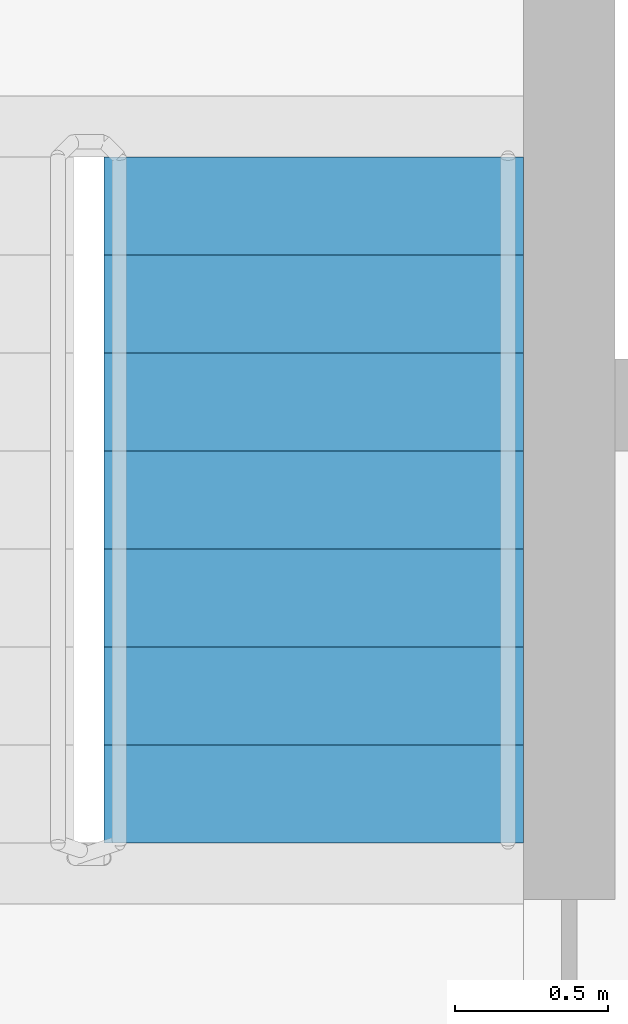
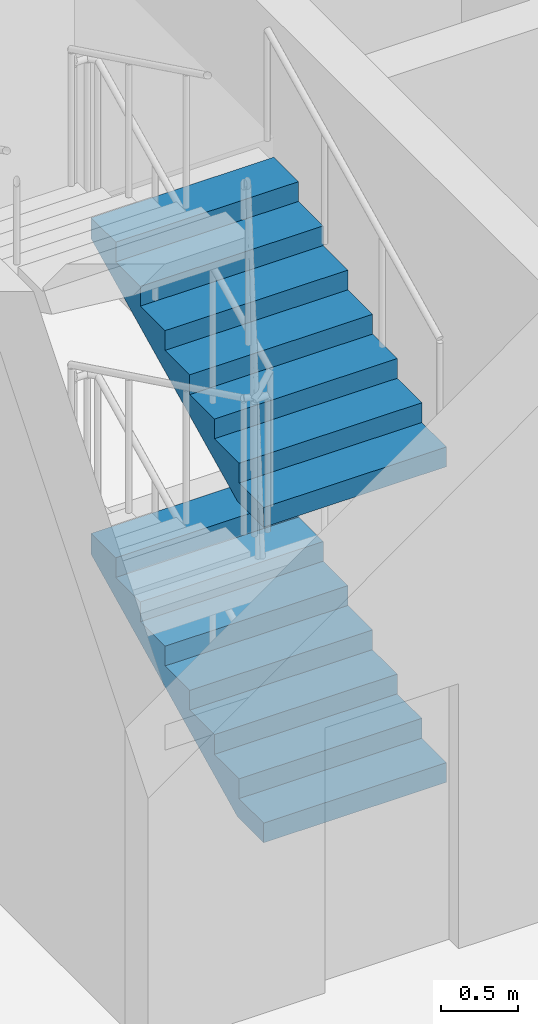
# One storey, part 14 of 17: 2 stair flights, 1 element without a shape of its own.
"""IFC4 building model written with IfcOpenShell, lengths in metres."""

from ifc_helpers import new_model, si_unit, direction, frame, origin, place, context, subcontext, project, spatial, polyline, outline, extrude, material, type_object, element, aggregate, save


model = new_model("IFC4")

# Units and contexts
model_context = context("Model", 3, precision=1e-05, world=origin(), true_north=direction((0.0, 1.0)))
body_context = subcontext(model_context, "Body", "Model", "MODEL_VIEW")
ifc_project = project(units=[si_unit("LENGTHUNIT", "METRE"), si_unit("AREAUNIT", "SQUARE_METRE"), si_unit("VOLUMEUNIT", "CUBIC_METRE"), si_unit("PLANEANGLEUNIT", "RADIAN"), si_unit("MASSUNIT", "GRAM", prefix="KILO")], contexts=[model_context])

# Site, building, storey
site_placement = place(None, origin())
site = spatial("IfcSite", under=ifc_project, at=site_placement, CompositionType="ELEMENT")
building_placement = place(site_placement, origin())
building = spatial("IfcBuilding", under=site, at=building_placement, Name="Firuza Gate Tower and Library", CompositionType="ELEMENT")
storey_placement = place(building_placement, frame((0.0, 0.0, 326.60009765625)))
storey = spatial("IfcBuildingStorey", under=building, at=storey_placement, Name="L80", CompositionType="ELEMENT", Elevation=326.60009765625)

# Stair, stair flights
ifc_material_1 = material(Name="Concrete C35/45", Category="concrete")
stair_type = type_object("IfcStairType", Name="Exit stair ST11", PredefinedType="HALF_TURN_STAIR", material=ifc_material_1)
stair_placement = place(storey_placement, origin())
stair = element("IfcStair", 1, at=stair_placement, inside=storey, type_object=stair_type, Name="L80 Stair ST3", PredefinedType="HALF_TURN_STAIR")
ifc_material_2 = material(Name="Concrete C35/45", Category="concrete")
stair_flight_type = type_object("IfcStairFlightType", Name="Stair flight 8 risers 156.2 width 1370", PredefinedType="STRAIGHT", material=ifc_material_2)
stair_flight_1_placement = place(storey_placement, frame((74.31494140625, 89.469970703125, 0.0), z_axis=(0.0, 0.0, 1.0), x_axis=(0.0, 1.0, 0.0)))
stair_flight_1 = element("IfcStairFlight", 2, at=stair_flight_1_placement, type_object=stair_flight_type, Name="ST3 flight 1", NumberOfRisers=8, NumberOfTreads=7, PredefinedType="STRAIGHT", RiserHeight=0.15625, TreadLength=0.32, context=body_context, shape_type="SweptSolid", body=[
    extrude(outline(polyline([(0.0, 0.0), (0.0, 0.15625), (0.320068359375, 0.15625), (0.320068359375, 0.3125), (0.639892578125, 0.3125), (0.639892578125, 0.46875), (0.9599609375, 0.46875), (0.9599609375, 0.625), (1.280029296875, 0.625), (1.280029296875, 0.78125), (1.60009765625, 0.78125), (1.60009765625, 0.9375), (1.919921875, 0.9375), (1.919921875, 1.09375), (2.239990234375, 1.09375), (2.239990234375, 1.25), (2.239990234375, 0.927001953125), (0.341552734375, 0.0), (0.0, 0.0)])), frame((0.0, 0.68505859375, 0.0), z_axis=(0.0, -1.0, 0.0), x_axis=(1.0, 0.0, 0.0)), (0.0, 0.0, 1.0), 1.3701171875),
])
stair_flight_2_placement = place(storey_placement, frame((74.31494140625, 89.469970703125, 2.5), z_axis=(0.0, 0.0, 1.0), x_axis=(0.0, 1.0, 0.0)))
stair_flight_2 = element("IfcStairFlight", 3, at=stair_flight_2_placement, type_object=stair_flight_type, Name="ST3 flight 3", NumberOfRisers=8, NumberOfTreads=7, PredefinedType="STRAIGHT", RiserHeight=0.15625, TreadLength=0.32, context=body_context, shape_type="SweptSolid", body=[
    extrude(outline(polyline([(0.0, 0.0), (0.0, 0.15625), (0.320068359375, 0.15625), (0.320068359375, 0.3125), (0.639892578125, 0.3125), (0.639892578125, 0.46875), (0.9599609375, 0.46875), (0.9599609375, 0.625), (1.280029296875, 0.625), (1.280029296875, 0.78125), (1.60009765625, 0.78125), (1.60009765625, 0.9375), (1.919921875, 0.9375), (1.919921875, 1.09375), (2.239990234375, 1.09375), (2.239990234375, 1.25), (2.239990234375, 0.927001953125), (0.341552734375, 0.0), (0.0, 0.0)])), frame((0.0, 0.68505859375, 0.0), z_axis=(0.0, -1.0, 0.0), x_axis=(1.0, 0.0, 0.0)), (0.0, 0.0, 1.0), 1.3701171875),
])
aggregate(stair, [stair_flight_1, stair_flight_2])

save(model, "model.ifc")
